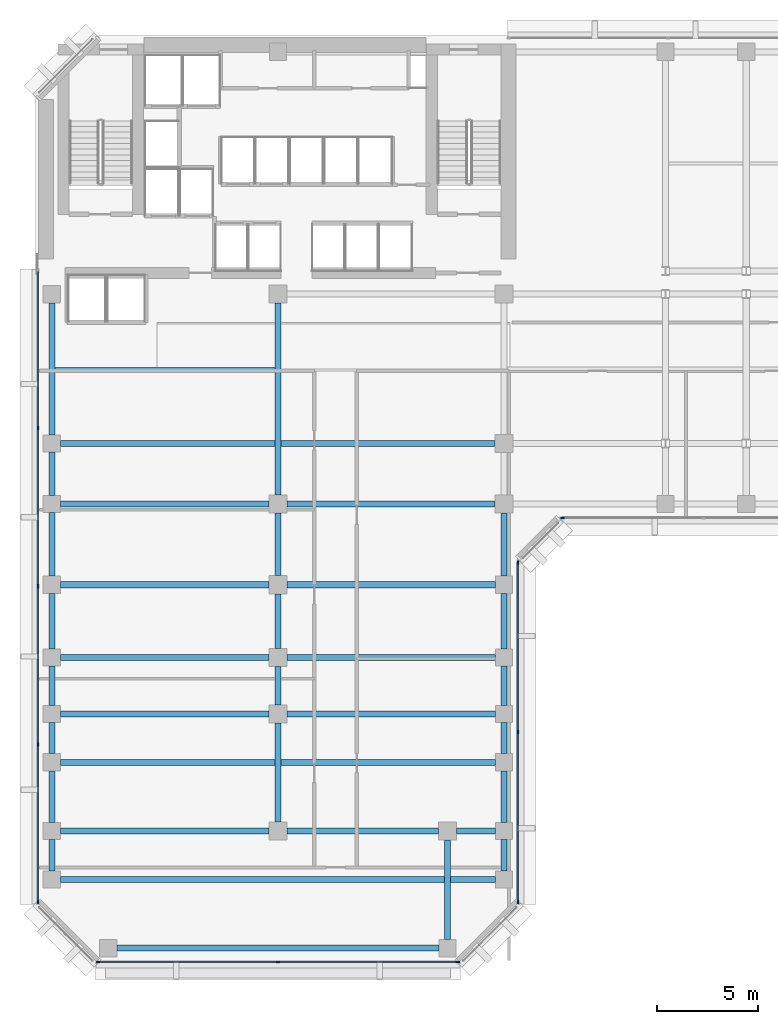
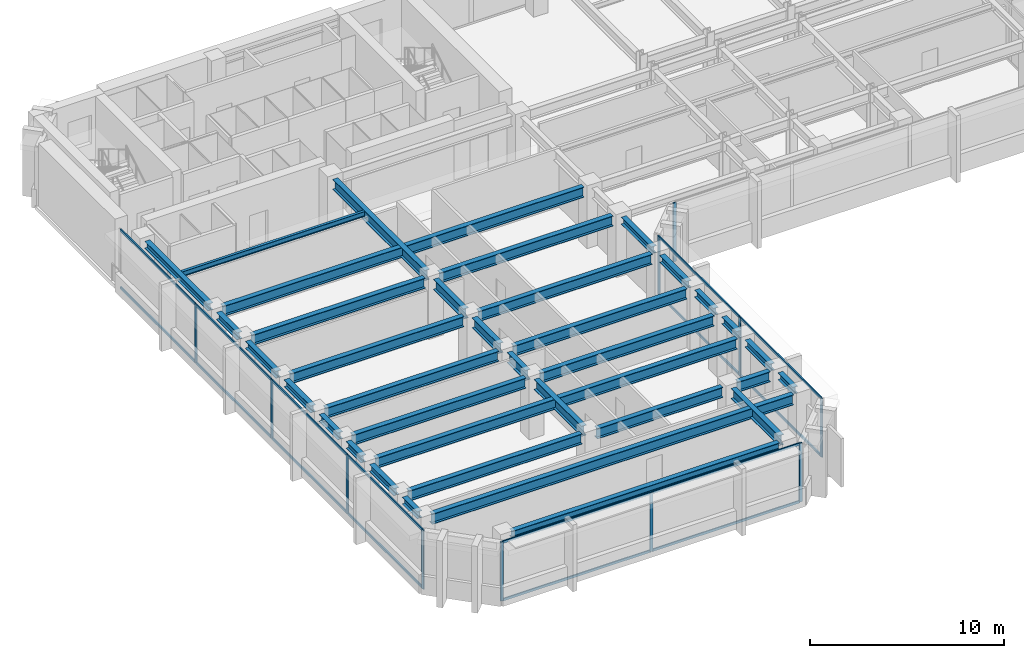
# One storey, part 2 of 12: 36 beams, 27 members, 4 elements without a shape of their own.
"""IFC4 building model written with IfcOpenShell, lengths in metres."""

import ifcopenshell
import ifcopenshell.guid

model = None  # the IFC model being written
_history = None  # IfcOwnerHistory: only IFC2X3 demands one
_inside = {}  # id of a spatial element -> (the spatial element, [elements in it])
_under = {}  # id of a project, library or spatial element -> (it, [spatial elements below it])
_declared = {}  # id of a project -> (the project, [libraries it declares])
_typed = {}  # id of a type object -> (the type object, [elements of that type])
_made_of = {}  # id of a material, layer set ... -> (it, [elements and type objects made of it])


def new_model(schema):
    """Start an empty IFC model of exactly this schema.

    Asked for "IFC4X3", IfcOpenShell would pick the latest addendum, in which some entities
    have other attributes; the version numbers below select the first issue.
    IFC2X3 requires an IfcOwnerHistory on every rooted entity: one is made here for all.
    """
    global model, _history
    if schema == "IFC4X3":
        model = ifcopenshell.file(schema_version=(4, 3, 0, 0))
    else:
        model = ifcopenshell.file(schema=schema)
    _inside.clear()
    _under.clear()
    _declared.clear()
    _typed.clear()
    _made_of.clear()
    _history = None
    if model.schema == "IFC2X3":
        org = make("IfcOrganization", Name="unknown")
        user = make(
            "IfcPersonAndOrganization",
            ThePerson=make("IfcPerson", FamilyName="unknown"),
            TheOrganization=org,
        )
        app = make(
            "IfcApplication",
            ApplicationDeveloper=org,
            Version="unknown",
            ApplicationFullName="unknown",
            ApplicationIdentifier="unknown",
        )
        _history = make(
            "IfcOwnerHistory",
            OwningUser=user,
            OwningApplication=app,
            ChangeAction="ADDED",
            CreationDate=0,
        )
    return model


def make(cls, **values):
    """One entity of the class cls with the attributes given. An attribute that is None is left unset."""
    return model.create_entity(
        cls, **{name: value for name, value in values.items() if value is not None}
    )


def rooted(cls, **values):
    """An entity with a GlobalId (a new one), such as an element, a storey or a relation."""
    return make(cls, GlobalId=ifcopenshell.guid.new(), OwnerHistory=_history, **values)


def si_unit(unit_type, name, prefix=None):
    """IfcSIUnit, for example si_unit("LENGTHUNIT", "METRE", prefix="MILLI")."""
    return make("IfcSIUnit", UnitType=unit_type, Prefix=prefix, Name=name)


def assignment(units):
    """IfcUnitAssignment: the units of a project."""
    return None if units is None else make("IfcUnitAssignment", Units=units)


def point(xyz):
    """IfcCartesianPoint."""
    return None if xyz is None else make("IfcCartesianPoint", Coordinates=xyz)


def direction(xyz):
    """IfcDirection."""
    return None if xyz is None else make("IfcDirection", DirectionRatios=xyz)


def frame(location, z_axis=None, x_axis=None):
    """IfcAxis2Placement3D, a coordinate frame: its origin and axes. An axis left out is left unset."""
    return make(
        "IfcAxis2Placement3D",
        Location=point(location),
        Axis=direction(z_axis),
        RefDirection=direction(x_axis),
    )


def frame_2d(location, x_axis=None):
    """IfcAxis2Placement2D, a coordinate frame in the plane: its origin and x axis."""
    return make(
        "IfcAxis2Placement2D", Location=point(location), RefDirection=direction(x_axis)
    )


def origin():
    """The frame at (0, 0, 0) with its axes left unset."""
    return frame((0.0, 0.0, 0.0))


def origin_2d():
    """The frame at (0, 0) in the plane with its x axis left unset."""
    return frame_2d((0.0, 0.0))


def place(relative_to, where):
    """IfcLocalPlacement: puts the frame where relative to a parent placement (None: the world)."""
    return make(
        "IfcLocalPlacement", PlacementRelTo=relative_to, RelativePlacement=where
    )


def context(
    kind, dimensions, precision=None, world=None, true_north=None, identifier=None
):
    """IfcGeometricRepresentationContext, for example the 3D "Model" context."""
    return make(
        "IfcGeometricRepresentationContext",
        ContextIdentifier=identifier,
        ContextType=kind,
        CoordinateSpaceDimension=dimensions,
        Precision=precision,
        WorldCoordinateSystem=world,
        TrueNorth=true_north,
    )


def subcontext(parent, identifier, kind, view, scale=None):
    """IfcGeometricRepresentationSubContext, for example "Body" below "Model"."""
    return make(
        "IfcGeometricRepresentationSubContext",
        ContextIdentifier=identifier,
        ContextType=kind,
        ParentContext=parent,
        TargetScale=scale,
        TargetView=view,
    )


def project(units=None, contexts=None):
    """IfcProject with its units and contexts."""
    return rooted(
        "IfcProject",
        Name="project",
        RepresentationContexts=contexts,
        UnitsInContext=assignment(units),
    )


def spatial(cls, under=None, at=None, **own):
    """A site, building, storey or space (cls), placed at a placement, below another one or the project."""
    s = rooted(cls, ObjectPlacement=at, **own)
    if under is not None:
        _under.setdefault(under.id(), (under, []))[1].append(s)
    return s


def profile(cls, at=None, kind="AREA", **sizes):
    """A parametric profile (cls). Its sizes go by their IFC names, for example OverallWidth=200.0."""
    return make(cls, ProfileType=kind, Position=at, **sizes)


def rectangle(**sizes):
    """IfcRectangleProfileDef."""
    return profile("IfcRectangleProfileDef", **sizes)


def i_section(**sizes):
    """IfcIShapeProfileDef."""
    return profile("IfcIShapeProfileDef", **sizes)


def extrude(swept, where, along, depth):
    """IfcExtrudedAreaSolid: the profile swept, set in the frame where, extruded along a direction by depth."""
    return make(
        "IfcExtrudedAreaSolid",
        SweptArea=swept,
        Position=where,
        ExtrudedDirection=direction(along),
        Depth=depth,
    )


def shape(context_of_items, identifier, shape_type, items):
    """IfcShapeRepresentation: the items that make up one representation, for example the "Body"."""
    return make(
        "IfcShapeRepresentation",
        ContextOfItems=context_of_items,
        RepresentationIdentifier=identifier,
        RepresentationType=shape_type,
        Items=items,
    )


def material(Name=None, Category=None):
    """IfcMaterial."""
    return make("IfcMaterial", Name=Name, Category=Category)


def layer(
    of_material, thickness, ventilated=None, Name=None, Category=None, Priority=None
):
    """IfcMaterialLayer: one layer of a wall or slab, of a material (None: an air gap)."""
    return make(
        "IfcMaterialLayer",
        Material=of_material,
        LayerThickness=thickness,
        IsVentilated=ventilated,
        Name=Name,
        Category=Category,
        Priority=Priority,
    )


def layer_set(layers, Name=None):
    """IfcMaterialLayerSet."""
    return make("IfcMaterialLayerSet", MaterialLayers=layers, LayerSetName=Name)


def material_profile(
    of_material, cross_section, Name=None, Category=None, Priority=None
):
    """IfcMaterialProfile: a cross section and its material."""
    return make(
        "IfcMaterialProfile",
        Name=Name,
        Material=of_material,
        Profile=cross_section,
        Priority=Priority,
        Category=Category,
    )


def profile_set(profiles, Name=None, composite=None):
    """IfcMaterialProfileSet."""
    return make(
        "IfcMaterialProfileSet",
        Name=Name,
        MaterialProfiles=profiles,
        CompositeProfile=composite,
    )


def made_of(thing, what):
    """Note that an element or type object is made of a material, layer set ...; save() writes the relation."""
    if what is not None:
        _made_of.setdefault(what.id(), (what, []))[1].append(thing)
    return thing


def type_object(cls, material=None, **own):
    """A type object (cls), such as IfcWallType, which elements share."""
    return made_of(rooted(cls, **own), material)


def element(
    cls,
    number,
    at=None,
    inside=None,
    cuts=None,
    type_object=None,
    material=None,
    context=None,
    identifier="Body",
    shape_type=None,
    held_by="IfcProductDefinitionShape",
    body=None,
    shapes=None,
    **own,
):
    """One element of the class cls, such as IfcWall. Its Tag is "e" and its number.

    at: its placement. inside: the storey or other place that contains it. cuts: it is an
    opening in that element (IfcRelVoidsElement). A single representation is given by context,
    identifier, shape_type and body (its items); several are given by shapes. held_by: the class
    of the entity that holds the representations. save() writes the other relations.
    """
    e = rooted(cls, Tag="e%d" % number, ObjectPlacement=at, **own)
    if body is not None:
        shapes = [shape(context, identifier, shape_type, body)]
    if shapes is not None:
        e.Representation = make(held_by, Representations=shapes)
    if inside is not None:
        _inside.setdefault(inside.id(), (inside, []))[1].append(e)
    if cuts is not None:
        rooted(
            "IfcRelVoidsElement", RelatingBuildingElement=cuts, RelatedOpeningElement=e
        )
    if type_object is not None:
        _typed.setdefault(type_object.id(), (type_object, []))[1].append(e)
    return made_of(e, material)


def aggregate(whole, parts):
    """IfcRelAggregates: a whole, such as a stair, and the parts it consists of."""
    return rooted("IfcRelAggregates", RelatingObject=whole, RelatedObjects=parts)


def save(model, path):
    """Write the relations noted so far, then the file.

    IfcRelAggregates (storeys below a building ...), IfcRelContainedInSpatialStructure (elements
    in a storey), IfcRelDefinesByType, IfcRelAssociatesMaterial and IfcRelDeclares: one each for
    every whole, place, type object, material and project.
    """
    for whole, parts in _under.values():
        aggregate(whole, parts)
    for where, things in _inside.values():
        rooted(
            "IfcRelContainedInSpatialStructure",
            RelatedElements=things,
            RelatingStructure=where,
        )
    for kind, things in _typed.values():
        rooted("IfcRelDefinesByType", RelatedObjects=things, RelatingType=kind)
    for what, things in _made_of.values():
        rooted("IfcRelAssociatesMaterial", RelatedObjects=things, RelatingMaterial=what)
    for by, libraries in _declared.values():
        rooted("IfcRelDeclares", RelatingContext=by, RelatedDefinitions=libraries)
    model.write(path)


model = new_model("IFC4")

# Units and contexts
model_context = context("Model", 3, precision=1e-05, world=origin(), true_north=direction((0.0, 1.0)))
body_context = subcontext(model_context, "Body", "Model", "MODEL_VIEW")
ifc_project = project(units=[si_unit("LENGTHUNIT", "METRE"), si_unit("AREAUNIT", "SQUARE_METRE"), si_unit("VOLUMEUNIT", "CUBIC_METRE"), si_unit("PLANEANGLEUNIT", "RADIAN"), si_unit("MASSUNIT", "GRAM", prefix="KILO")], contexts=[model_context])

# Site, building, storey
site_placement = place(None, origin())
site = spatial("IfcSite", under=ifc_project, at=site_placement, CompositionType="ELEMENT")
building_placement = place(site_placement, origin())
building = spatial("IfcBuilding", under=site, at=building_placement, Name="Kefirva Bronze Tower", CompositionType="ELEMENT")
storey_placement = place(building_placement, frame((0.0, 0.0, 114.510009765625)))
storey = spatial("IfcBuildingStorey", under=building, at=storey_placement, Name="L27", CompositionType="ELEMENT", Elevation=114.510009765625)

# Curtain wall, members
ifc_material_1 = material(Name="Bronze anodised aluminium", Category="aluminium")
ifc_layer = layer(ifc_material_1, 0.199951171875, Name="Bronze anodised aluminium")
ifc_layer_set = layer_set([ifc_layer], Name="Bronze anodised aluminium")
curtain_wall_type = type_object("IfcCurtainWallType", Name="Unitised Bronze Ribbon Curtain Wall Zone 2", PredefinedType="USERDEFINED", material=ifc_layer_set)
curtain_wall_1_placement = place(storey_placement, origin())
curtain_wall_1 = element("IfcCurtainWall", 1, at=curtain_wall_1_placement, inside=storey, type_object=curtain_wall_type, Name="L27 Curtain Wall 1", ObjectType="UNITISED CURTAIN WALL", PredefinedType="USERDEFINED")
ifc_material_profile_1 = material_profile(ifc_material_1, rectangle(XDim=0.074951171875, YDim=0.179931640625, at=origin_2d()), Name="ALU 75x180")
ifc_profile_set_1 = profile_set([ifc_material_profile_1], Name="Bronze anodised aluminium")
member_type_1 = type_object("IfcMemberType", Name="Bronze Mullion 75x180", PredefinedType="MULLION", material=ifc_profile_set_1)
member_1_placement = place(storey_placement, frame((3.092529296875, 0.1201171875, 0.0), z_axis=(0.0, 0.0, 1.0), x_axis=(0.0, 1.0, 0.0)))
member_1 = element("IfcMember", 2, at=member_1_placement, type_object=member_type_1, Name="CW-02 mullion 1", PredefinedType="MULLION", context=body_context, shape_type="SweptSolid", body=[
    extrude(rectangle(XDim=0.074951171875, YDim=0.179931640625, at=origin_2d()), origin(), (0.0, 0.0, 1.0), 3.7099609375),
])
member_2_placement = place(storey_placement, frame((12.0, 0.1201171875, 0.0), z_axis=(0.0, 0.0, 1.0), x_axis=(0.0, 1.0, 0.0)))
member_2 = element("IfcMember", 3, at=member_2_placement, type_object=member_type_1, Name="CW-02 mullion 2", PredefinedType="MULLION", context=body_context, shape_type="SweptSolid", body=[
    extrude(rectangle(XDim=0.074951171875, YDim=0.179931640625, at=origin_2d()), origin(), (0.0, 0.0, 1.0), 3.7099609375),
])
member_3_placement = place(storey_placement, frame((20.907470703125, 0.1201171875, 0.0), z_axis=(0.0, 0.0, 1.0), x_axis=(0.0, 1.0, 0.0)))
member_3 = element("IfcMember", 4, at=member_3_placement, type_object=member_type_1, Name="CW-02 mullion 3", PredefinedType="MULLION", context=body_context, shape_type="SweptSolid", body=[
    extrude(rectangle(XDim=0.074951171875, YDim=0.179931640625, at=origin_2d()), origin(), (0.0, 0.0, 1.0), 3.7099609375),
])

curtain_wall_2_placement = place(storey_placement, origin())
curtain_wall_2 = element("IfcCurtainWall", 5, at=curtain_wall_2_placement, inside=storey, type_object=curtain_wall_type, Name="L27 Curtain Wall 2", ObjectType="UNITISED CURTAIN WALL", PredefinedType="USERDEFINED")
member_4_placement = place(storey_placement, frame((23.8798828125, 3.092529296875, 0.0), z_axis=(0.0, 0.0, 1.0), x_axis=(-1.0, 0.0, 0.0)))
member_4 = element("IfcMember", 6, at=member_4_placement, type_object=member_type_1, Name="CW-02 mullion 1", PredefinedType="MULLION", context=body_context, shape_type="SweptSolid", body=[
    extrude(rectangle(XDim=0.074951171875, YDim=0.179931640625, at=origin_2d()), origin(), (0.0, 0.0, 1.0), 3.7099609375),
])
member_5_placement = place(storey_placement, frame((23.8798828125, 11.5, 0.0), z_axis=(0.0, 0.0, 1.0), x_axis=(-1.0, 0.0, 0.0)))
member_5 = element("IfcMember", 7, at=member_5_placement, type_object=member_type_1, Name="CW-02 mullion 2", PredefinedType="MULLION", context=body_context, shape_type="SweptSolid", body=[
    extrude(rectangle(XDim=0.074951171875, YDim=0.179931640625, at=origin_2d()), origin(), (0.0, 0.0, 1.0), 3.7099609375),
])
member_6_placement = place(storey_placement, frame((23.8798828125, 19.907470703125, 0.0), z_axis=(0.0, 0.0, 1.0), x_axis=(-1.0, 0.0, 0.0)))
member_6 = element("IfcMember", 8, at=member_6_placement, type_object=member_type_1, Name="CW-02 mullion 3", PredefinedType="MULLION", context=body_context, shape_type="SweptSolid", body=[
    extrude(rectangle(XDim=0.074951171875, YDim=0.179931640625, at=origin_2d()), origin(), (0.0, 0.0, 1.0), 3.7099609375),
])

# Curtain wall, member
curtain_wall_3_placement = place(storey_placement, origin())
curtain_wall_3 = element("IfcCurtainWall", 9, at=curtain_wall_3_placement, inside=storey, type_object=curtain_wall_type, Name="L27 Curtain Wall 3", ObjectType="UNITISED CURTAIN WALL", PredefinedType="USERDEFINED")
member_7_placement = place(storey_placement, frame((26.092529296875, 22.1201171875, 0.0), z_axis=(0.0, 0.0, 1.0), x_axis=(0.0, 1.0, 0.0)))
member_7 = element("IfcMember", 10, at=member_7_placement, type_object=member_type_1, Name="CW-02 mullion 1", PredefinedType="MULLION", context=body_context, shape_type="SweptSolid", body=[
    extrude(rectangle(XDim=0.074951171875, YDim=0.179931640625, at=origin_2d()), origin(), (0.0, 0.0, 1.0), 3.7099609375),
])
aggregate(curtain_wall_3, [member_7])

# Curtain wall, members
curtain_wall_4_placement = place(storey_placement, origin())
curtain_wall_4 = element("IfcCurtainWall", 11, at=curtain_wall_4_placement, inside=storey, type_object=curtain_wall_type, Name="L27 Curtain Wall 6", ObjectType="UNITISED CURTAIN WALL", PredefinedType="USERDEFINED")
member_8_placement = place(storey_placement, frame((0.1201171875, 26.56005859375, 0.0), z_axis=(0.0, 0.0, 1.0), x_axis=(1.0, 0.0, 0.0)))
member_8 = element("IfcMember", 12, at=member_8_placement, type_object=member_type_1, Name="CW-02 mullion 2", PredefinedType="MULLION", context=body_context, shape_type="SweptSolid", body=[
    extrude(rectangle(XDim=0.074951171875, YDim=0.179931640625, at=origin_2d()), origin(), (0.0, 0.0, 1.0), 3.7099609375),
])
member_9_placement = place(storey_placement, frame((0.1201171875, 18.72509765625, 0.0), z_axis=(0.0, 0.0, 1.0), x_axis=(1.0, 0.0, 0.0)))
member_9 = element("IfcMember", 13, at=member_9_placement, type_object=member_type_1, Name="CW-02 mullion 3", PredefinedType="MULLION", context=body_context, shape_type="SweptSolid", body=[
    extrude(rectangle(XDim=0.074951171875, YDim=0.179931640625, at=origin_2d()), origin(), (0.0, 0.0, 1.0), 3.7099609375),
])
member_10_placement = place(storey_placement, frame((0.1201171875, 10.889892578125, 0.0), z_axis=(0.0, 0.0, 1.0), x_axis=(1.0, 0.0, 0.0)))
member_10 = element("IfcMember", 14, at=member_10_placement, type_object=member_type_1, Name="CW-02 mullion 4", PredefinedType="MULLION", context=body_context, shape_type="SweptSolid", body=[
    extrude(rectangle(XDim=0.074951171875, YDim=0.179931640625, at=origin_2d()), origin(), (0.0, 0.0, 1.0), 3.7099609375),
])
member_11_placement = place(storey_placement, frame((0.1201171875, 3.092529296875, 0.0), z_axis=(0.0, 0.0, 1.0), x_axis=(1.0, 0.0, 0.0)))
member_11 = element("IfcMember", 15, at=member_11_placement, type_object=member_type_1, Name="CW-02 mullion 5", PredefinedType="MULLION", context=body_context, shape_type="SweptSolid", body=[
    extrude(rectangle(XDim=0.074951171875, YDim=0.179931640625, at=origin_2d()), origin(), (0.0, 0.0, 1.0), 3.7099609375),
])

# Member
ifc_material_profile_2 = material_profile(ifc_material_1, rectangle(XDim=0.074951171875, YDim=0.14990234375, at=origin_2d()), Name="ALU 75x150")
ifc_profile_set_2 = profile_set([ifc_material_profile_2], Name="Bronze anodised aluminium")
member_type_2 = type_object("IfcMemberType", Name="Bronze Transom 75x150", PredefinedType="USERDEFINED", material=ifc_profile_set_2)
member_12_placement = place(storey_placement, frame((3.1298828125, 0.1201171875, 0.03759765625), z_axis=(1.0, 0.0, 0.0), x_axis=(0.0, 1.0, 0.0)))
member_12 = element("IfcMember", 16, at=member_12_placement, type_object=member_type_2, Name="CW-02 transom 1.1", ObjectType="TRANSOM", PredefinedType="USERDEFINED", context=body_context, shape_type="SweptSolid", body=[
    extrude(rectangle(XDim=0.074951171875, YDim=0.14990234375, at=origin_2d()), origin(), (0.0, 0.0, 1.0), 8.83251953125),
])

member_13_placement = place(storey_placement, frame((3.1298828125, 0.1201171875, 3.672607421875), z_axis=(1.0, 0.0, 0.0), x_axis=(0.0, 1.0, 0.0)))
member_13 = element("IfcMember", 17, at=member_13_placement, type_object=member_type_2, Name="CW-02 transom 1.2", ObjectType="TRANSOM", PredefinedType="USERDEFINED", context=body_context, shape_type="SweptSolid", body=[
    extrude(rectangle(XDim=0.074951171875, YDim=0.14990234375, at=origin_2d()), origin(), (0.0, 0.0, 1.0), 8.83251953125),
])

member_14_placement = place(storey_placement, frame((12.03759765625, 0.1201171875, 0.03759765625), z_axis=(1.0, 0.0, 0.0), x_axis=(0.0, 1.0, 0.0)))
member_14 = element("IfcMember", 18, at=member_14_placement, type_object=member_type_2, Name="CW-02 transom 2.1", ObjectType="TRANSOM", PredefinedType="USERDEFINED", context=body_context, shape_type="SweptSolid", body=[
    extrude(rectangle(XDim=0.074951171875, YDim=0.14990234375, at=origin_2d()), origin(), (0.0, 0.0, 1.0), 8.83251953125),
])

member_15_placement = place(storey_placement, frame((12.03759765625, 0.1201171875, 3.672607421875), z_axis=(1.0, 0.0, 0.0), x_axis=(0.0, 1.0, 0.0)))
member_15 = element("IfcMember", 19, at=member_15_placement, type_object=member_type_2, Name="CW-02 transom 2.2", ObjectType="TRANSOM", PredefinedType="USERDEFINED", context=body_context, shape_type="SweptSolid", body=[
    extrude(rectangle(XDim=0.074951171875, YDim=0.14990234375, at=origin_2d()), origin(), (0.0, 0.0, 1.0), 8.83251953125),
])

aggregate(curtain_wall_1, [member_1, member_2, member_3, member_12, member_13, member_14, member_15])

member_16_placement = place(storey_placement, frame((23.8798828125, 3.1298828125, 0.03759765625), z_axis=(0.0, 1.0, 0.0), x_axis=(-1.0, 0.0, 0.0)))
member_16 = element("IfcMember", 20, at=member_16_placement, type_object=member_type_2, Name="CW-02 transom 1.1", ObjectType="TRANSOM", PredefinedType="USERDEFINED", context=body_context, shape_type="SweptSolid", body=[
    extrude(rectangle(XDim=0.074951171875, YDim=0.14990234375, at=origin_2d()), origin(), (0.0, 0.0, 1.0), 8.33251953125),
])

member_17_placement = place(storey_placement, frame((23.8798828125, 3.1298828125, 3.672607421875), z_axis=(0.0, 1.0, 0.0), x_axis=(-1.0, 0.0, 0.0)))
member_17 = element("IfcMember", 21, at=member_17_placement, type_object=member_type_2, Name="CW-02 transom 1.2", ObjectType="TRANSOM", PredefinedType="USERDEFINED", context=body_context, shape_type="SweptSolid", body=[
    extrude(rectangle(XDim=0.074951171875, YDim=0.14990234375, at=origin_2d()), origin(), (0.0, 0.0, 1.0), 8.33251953125),
])

member_18_placement = place(storey_placement, frame((23.8798828125, 11.53759765625, 0.03759765625), z_axis=(0.0, 1.0, 0.0), x_axis=(-1.0, 0.0, 0.0)))
member_18 = element("IfcMember", 22, at=member_18_placement, type_object=member_type_2, Name="CW-02 transom 2.1", ObjectType="TRANSOM", PredefinedType="USERDEFINED", context=body_context, shape_type="SweptSolid", body=[
    extrude(rectangle(XDim=0.074951171875, YDim=0.14990234375, at=origin_2d()), origin(), (0.0, 0.0, 1.0), 8.33251953125),
])

member_19_placement = place(storey_placement, frame((23.8798828125, 11.53759765625, 3.672607421875), z_axis=(0.0, 1.0, 0.0), x_axis=(-1.0, 0.0, 0.0)))
member_19 = element("IfcMember", 23, at=member_19_placement, type_object=member_type_2, Name="CW-02 transom 2.2", ObjectType="TRANSOM", PredefinedType="USERDEFINED", context=body_context, shape_type="SweptSolid", body=[
    extrude(rectangle(XDim=0.074951171875, YDim=0.14990234375, at=origin_2d()), origin(), (0.0, 0.0, 1.0), 8.33251953125),
])

aggregate(curtain_wall_2, [member_4, member_5, member_6, member_16, member_17, member_18, member_19])

member_20_placement = place(storey_placement, frame((0.1201171875, 34.320068359375, 0.03759765625), z_axis=(0.0, -1.0, 0.0), x_axis=(1.0, 0.0, 0.0)))
member_20 = element("IfcMember", 24, at=member_20_placement, type_object=member_type_2, Name="CW-02 transom 1.1", ObjectType="TRANSOM", PredefinedType="USERDEFINED", context=body_context, shape_type="SweptSolid", body=[
    extrude(rectangle(XDim=0.074951171875, YDim=0.14990234375, at=origin_2d()), origin(), (0.0, 0.0, 1.0), 7.72265625),
])

member_21_placement = place(storey_placement, frame((0.1201171875, 34.320068359375, 3.672607421875), z_axis=(0.0, -1.0, 0.0), x_axis=(1.0, 0.0, 0.0)))
member_21 = element("IfcMember", 25, at=member_21_placement, type_object=member_type_2, Name="CW-02 transom 1.2", ObjectType="TRANSOM", PredefinedType="USERDEFINED", context=body_context, shape_type="SweptSolid", body=[
    extrude(rectangle(XDim=0.074951171875, YDim=0.14990234375, at=origin_2d()), origin(), (0.0, 0.0, 1.0), 7.72265625),
])

member_22_placement = place(storey_placement, frame((0.1201171875, 26.5224609375, 0.03759765625), z_axis=(0.0, -1.0, 0.0), x_axis=(1.0, 0.0, 0.0)))
member_22 = element("IfcMember", 26, at=member_22_placement, type_object=member_type_2, Name="CW-02 transom 2.1", ObjectType="TRANSOM", PredefinedType="USERDEFINED", context=body_context, shape_type="SweptSolid", body=[
    extrude(rectangle(XDim=0.074951171875, YDim=0.14990234375, at=origin_2d()), origin(), (0.0, 0.0, 1.0), 7.760009765625),
])

member_23_placement = place(storey_placement, frame((0.1201171875, 26.5224609375, 3.672607421875), z_axis=(0.0, -1.0, 0.0), x_axis=(1.0, 0.0, 0.0)))
member_23 = element("IfcMember", 27, at=member_23_placement, type_object=member_type_2, Name="CW-02 transom 2.2", ObjectType="TRANSOM", PredefinedType="USERDEFINED", context=body_context, shape_type="SweptSolid", body=[
    extrude(rectangle(XDim=0.074951171875, YDim=0.14990234375, at=origin_2d()), origin(), (0.0, 0.0, 1.0), 7.760009765625),
])

member_24_placement = place(storey_placement, frame((0.1201171875, 18.6875, 0.03759765625), z_axis=(0.0, -1.0, 0.0), x_axis=(1.0, 0.0, 0.0)))
member_24 = element("IfcMember", 28, at=member_24_placement, type_object=member_type_2, Name="CW-02 transom 3.1", ObjectType="TRANSOM", PredefinedType="USERDEFINED", context=body_context, shape_type="SweptSolid", body=[
    extrude(rectangle(XDim=0.074951171875, YDim=0.14990234375, at=origin_2d()), origin(), (0.0, 0.0, 1.0), 7.760009765625),
])

member_25_placement = place(storey_placement, frame((0.1201171875, 18.6875, 3.672607421875), z_axis=(0.0, -1.0, 0.0), x_axis=(1.0, 0.0, 0.0)))
member_25 = element("IfcMember", 29, at=member_25_placement, type_object=member_type_2, Name="CW-02 transom 3.2", ObjectType="TRANSOM", PredefinedType="USERDEFINED", context=body_context, shape_type="SweptSolid", body=[
    extrude(rectangle(XDim=0.074951171875, YDim=0.14990234375, at=origin_2d()), origin(), (0.0, 0.0, 1.0), 7.760009765625),
])

member_26_placement = place(storey_placement, frame((0.1201171875, 10.8525390625, 0.03759765625), z_axis=(0.0, -1.0, 0.0), x_axis=(1.0, 0.0, 0.0)))
member_26 = element("IfcMember", 30, at=member_26_placement, type_object=member_type_2, Name="CW-02 transom 4.1", ObjectType="TRANSOM", PredefinedType="USERDEFINED", context=body_context, shape_type="SweptSolid", body=[
    extrude(rectangle(XDim=0.074951171875, YDim=0.14990234375, at=origin_2d()), origin(), (0.0, 0.0, 1.0), 7.72265625),
])

member_27_placement = place(storey_placement, frame((0.1201171875, 10.8525390625, 3.672607421875), z_axis=(0.0, -1.0, 0.0), x_axis=(1.0, 0.0, 0.0)))
member_27 = element("IfcMember", 31, at=member_27_placement, type_object=member_type_2, Name="CW-02 transom 4.2", ObjectType="TRANSOM", PredefinedType="USERDEFINED", context=body_context, shape_type="SweptSolid", body=[
    extrude(rectangle(XDim=0.074951171875, YDim=0.14990234375, at=origin_2d()), origin(), (0.0, 0.0, 1.0), 7.72265625),
])

aggregate(curtain_wall_4, [member_8, member_9, member_10, member_11, member_20, member_21, member_22, member_23, member_24, member_25, member_26, member_27])

# Beams
ifc_material_2 = material(Name="Steel S355", Category="steel")
ifc_material_profile_3 = material_profile(ifc_material_2, i_section(OverallWidth=0.159912109375, OverallDepth=0.330078125, WebThickness=0.007568359375, FlangeThickness=0.011474609375, at=origin_2d()), Name="IPE 330")
ifc_profile_set_3 = profile_set([ifc_material_profile_3], Name="Steel S355")
beam_type_1 = type_object("IfcBeamType", Name="Steel Floor Joist IPE 330", PredefinedType="JOIST", material=ifc_profile_set_3)
beam_1_placement = place(storey_placement, frame((0.949951171875, 29.489990234375, 3.544921875), z_axis=(1.0, 0.0, 0.0), x_axis=(0.0, 1.0, 0.0)))
element("IfcBeam", 32, at=beam_1_placement, inside=storey, type_object=beam_type_1, Name="L27 JST-L27-0-294", PredefinedType="JOIST", context=body_context, shape_type="SweptSolid", body=[
    extrude(i_section(OverallWidth=0.159912109375, OverallDepth=0.330078125, WebThickness=0.007568359375, FlangeThickness=0.011474609375, at=origin_2d()), origin(), (0.0, 0.0, 1.0), 10.900146484375),
])
ifc_material_profile_4 = material_profile(ifc_material_2, i_section(OverallWidth=0.300048828125, OverallDepth=0.64990234375, WebThickness=0.01611328125, FlangeThickness=0.031005859375, at=origin_2d()), Name="HEB 650")
ifc_profile_set_4 = profile_set([ifc_material_profile_4], Name="Steel S355")
beam_type_2 = type_object("IfcBeamType", Name="Steel Girder HEB 650", PredefinedType="USERDEFINED", material=ifc_profile_set_4)
beam_2_placement = place(storey_placement, frame((1.22998046875, 4.199951171875, 3.385009765625), z_axis=(1.0, 0.0, 0.0), x_axis=(0.0, 1.0, 0.0)))
element("IfcBeam", 33, at=beam_2_placement, inside=storey, type_object=beam_type_2, Name="L27 BM-L27-EW-0-42", ObjectType="GIRDER", PredefinedType="USERDEFINED", context=body_context, shape_type="SweptSolid", body=[
    extrude(i_section(OverallWidth=0.300048828125, OverallDepth=0.64990234375, WebThickness=0.01611328125, FlangeThickness=0.031005859375, at=origin_2d()), origin(), (0.0, 0.0, 1.0), 21.5400390625),
])
beam_3_placement = place(storey_placement, frame((1.22998046875, 6.60009765625, 3.385009765625), z_axis=(1.0, 0.0, 0.0), x_axis=(0.0, 1.0, 0.0)))
element("IfcBeam", 34, at=beam_3_placement, inside=storey, type_object=beam_type_2, Name="L27 BM-L27-EW-0-66", ObjectType="GIRDER", PredefinedType="USERDEFINED", context=body_context, shape_type="SweptSolid", body=[
    extrude(i_section(OverallWidth=0.300048828125, OverallDepth=0.64990234375, WebThickness=0.01611328125, FlangeThickness=0.031005859375, at=origin_2d()), origin(), (0.0, 0.0, 1.0), 10.320068359375),
])
beam_4_placement = place(storey_placement, frame((12.449951171875, 6.60009765625, 3.385009765625), z_axis=(1.0, 0.0, 0.0), x_axis=(0.0, 1.0, 0.0)))
element("IfcBeam", 35, at=beam_4_placement, inside=storey, type_object=beam_type_2, Name="L27 BM-L27-EW-12-66", ObjectType="GIRDER", PredefinedType="USERDEFINED", context=body_context, shape_type="SweptSolid", body=[
    extrude(i_section(OverallWidth=0.300048828125, OverallDepth=0.64990234375, WebThickness=0.01611328125, FlangeThickness=0.031005859375, at=origin_2d()), origin(), (0.0, 0.0, 1.0), 7.5),
])
beam_5_placement = place(storey_placement, frame((20.85009765625, 6.60009765625, 3.385009765625), z_axis=(1.0, 0.0, 0.0), x_axis=(0.0, 1.0, 0.0)))
element("IfcBeam", 36, at=beam_5_placement, inside=storey, type_object=beam_type_2, Name="L27 BM-L27-EW-20-66", ObjectType="GIRDER", PredefinedType="USERDEFINED", context=body_context, shape_type="SweptSolid", body=[
    extrude(i_section(OverallWidth=0.300048828125, OverallDepth=0.64990234375, WebThickness=0.01611328125, FlangeThickness=0.031005859375, at=origin_2d()), origin(), (0.0, 0.0, 1.0), 1.919921875),
])
beam_6_placement = place(storey_placement, frame((1.22998046875, 10.0, 3.385009765625), z_axis=(1.0, 0.0, 0.0), x_axis=(0.0, 1.0, 0.0)))
element("IfcBeam", 37, at=beam_6_placement, inside=storey, type_object=beam_type_2, Name="L27 BM-L27-EW-0-100", ObjectType="GIRDER", PredefinedType="USERDEFINED", context=body_context, shape_type="SweptSolid", body=[
    extrude(i_section(OverallWidth=0.300048828125, OverallDepth=0.64990234375, WebThickness=0.01611328125, FlangeThickness=0.031005859375, at=origin_2d()), origin(), (0.0, 0.0, 1.0), 21.5400390625),
])
for number, where, z_axis, x_axis, name in (
    (38, (1.22998046875, 12.39990234375, 3.385009765625), (1.0, 0.0, 0.0), (0.0, 1.0, 0.0), "L27 BM-L27-EW-0-124"),
    (39, (12.449951171875, 12.39990234375, 3.385009765625), (1.0, 0.0, 0.0), (0.0, 1.0, 0.0), "L27 BM-L27-EW-12-124"),
    (40, (1.22998046875, 15.199951171875, 3.385009765625), (1.0, 0.0, 0.0), (0.0, 1.0, 0.0), "L27 BM-L27-EW-0-152"),
    (41, (12.449951171875, 15.199951171875, 3.385009765625), (1.0, 0.0, 0.0), (0.0, 1.0, 0.0), "L27 BM-L27-EW-12-152"),
    (42, (1.22998046875, 18.800048828125, 3.385009765625), (1.0, 0.0, 0.0), (0.0, 1.0, 0.0), "L27 BM-L27-EW-0-188"),
    (43, (12.449951171875, 18.800048828125, 3.385009765625), (1.0, 0.0, 0.0), (0.0, 1.0, 0.0), "L27 BM-L27-EW-12-188"),
    (44, (1.22998046875, 22.800048828125, 3.385009765625), (1.0, 0.0, 0.0), (0.0, 1.0, 0.0), "L27 BM-L27-EW-0-228"),
):
    element("IfcBeam", number, at=place(storey_placement, frame(where, z_axis=z_axis, x_axis=x_axis)), inside=storey, type_object=beam_type_2, Name=name, ObjectType="GIRDER", PredefinedType="USERDEFINED", context=body_context, shape_type="SweptSolid", body=[
        extrude(i_section(OverallWidth=0.300048828125, OverallDepth=0.64990234375, WebThickness=0.01611328125, FlangeThickness=0.031005859375, at=origin_2d()), origin(), (0.0, 0.0, 1.0), 10.320068359375),
    ])
beam_7_placement = place(storey_placement, frame((12.449951171875, 22.800048828125, 3.385009765625), z_axis=(1.0, 0.0, 0.0), x_axis=(0.0, 1.0, 0.0)))
element("IfcBeam", 45, at=beam_7_placement, inside=storey, type_object=beam_type_2, Name="L27 BM-L27-EW-12-228", ObjectType="GIRDER", PredefinedType="USERDEFINED", context=body_context, shape_type="SweptSolid", body=[
    extrude(i_section(OverallWidth=0.300048828125, OverallDepth=0.64990234375, WebThickness=0.01611328125, FlangeThickness=0.031005859375, at=origin_2d()), origin(), (0.0, 0.0, 1.0), 10.300048828125),
])
beam_8_placement = place(storey_placement, frame((1.22998046875, 25.800048828125, 3.385009765625), z_axis=(1.0, 0.0, 0.0), x_axis=(0.0, 1.0, 0.0)))
element("IfcBeam", 46, at=beam_8_placement, inside=storey, type_object=beam_type_2, Name="L27 BM-L27-EW-0-258", ObjectType="GIRDER", PredefinedType="USERDEFINED", context=body_context, shape_type="SweptSolid", body=[
    extrude(i_section(OverallWidth=0.300048828125, OverallDepth=0.64990234375, WebThickness=0.01611328125, FlangeThickness=0.031005859375, at=origin_2d()), origin(), (0.0, 0.0, 1.0), 21.52001953125),
])
beam_9_placement = place(storey_placement, frame((12.0, 7.050048828125, 3.385009765625), z_axis=(0.0, 1.0, 0.0), x_axis=(-1.0, 0.0, 0.0)))
element("IfcBeam", 47, at=beam_9_placement, inside=storey, type_object=beam_type_2, Name="L27 BM-L27-NS-120-6", ObjectType="GIRDER", PredefinedType="USERDEFINED", context=body_context, shape_type="SweptSolid", body=[
    extrude(i_section(OverallWidth=0.300048828125, OverallDepth=0.64990234375, WebThickness=0.01611328125, FlangeThickness=0.031005859375, at=origin_2d()), origin(), (0.0, 0.0, 1.0), 4.89990234375),
])
beam_10_placement = place(storey_placement, frame((12.0, 12.85009765625, 3.385009765625), z_axis=(0.0, 1.0, 0.0), x_axis=(-1.0, 0.0, 0.0)))
element("IfcBeam", 48, at=beam_10_placement, inside=storey, type_object=beam_type_2, Name="L27 BM-L27-NS-120-12", ObjectType="GIRDER", PredefinedType="USERDEFINED", context=body_context, shape_type="SweptSolid", body=[
    extrude(i_section(OverallWidth=0.300048828125, OverallDepth=0.64990234375, WebThickness=0.01611328125, FlangeThickness=0.031005859375, at=origin_2d()), origin(), (0.0, 0.0, 1.0), 1.89990234375),
])
beam_11_placement = place(storey_placement, frame((12.0, 15.64990234375, 3.385009765625), z_axis=(0.0, 1.0, 0.0), x_axis=(-1.0, 0.0, 0.0)))
element("IfcBeam", 49, at=beam_11_placement, inside=storey, type_object=beam_type_2, Name="L27 BM-L27-NS-120-15", ObjectType="GIRDER", PredefinedType="USERDEFINED", context=body_context, shape_type="SweptSolid", body=[
    extrude(i_section(OverallWidth=0.300048828125, OverallDepth=0.64990234375, WebThickness=0.01611328125, FlangeThickness=0.031005859375, at=origin_2d()), origin(), (0.0, 0.0, 1.0), 2.7001953125),
])
beam_12_placement = place(storey_placement, frame((12.0, 19.25, 3.385009765625), z_axis=(0.0, 1.0, 0.0), x_axis=(-1.0, 0.0, 0.0)))
element("IfcBeam", 50, at=beam_12_placement, inside=storey, type_object=beam_type_2, Name="L27 BM-L27-NS-120-18", ObjectType="GIRDER", PredefinedType="USERDEFINED", context=body_context, shape_type="SweptSolid", body=[
    extrude(i_section(OverallWidth=0.300048828125, OverallDepth=0.64990234375, WebThickness=0.01611328125, FlangeThickness=0.031005859375, at=origin_2d()), origin(), (0.0, 0.0, 1.0), 3.10009765625),
])
beam_13_placement = place(storey_placement, frame((12.0, 23.25, 3.385009765625), z_axis=(0.0, 1.0, 0.0), x_axis=(-1.0, 0.0, 0.0)))
element("IfcBeam", 51, at=beam_13_placement, inside=storey, type_object=beam_type_2, Name="L27 BM-L27-NS-120-22", ObjectType="GIRDER", PredefinedType="USERDEFINED", context=body_context, shape_type="SweptSolid", body=[
    extrude(i_section(OverallWidth=0.300048828125, OverallDepth=0.64990234375, WebThickness=0.01611328125, FlangeThickness=0.031005859375, at=origin_2d()), origin(), (0.0, 0.0, 1.0), 9.5),
])
beam_14_placement = place(storey_placement, frame((20.39990234375, 1.22998046875, 3.385009765625), z_axis=(0.0, 1.0, 0.0), x_axis=(-1.0, 0.0, 0.0)))
element("IfcBeam", 52, at=beam_14_placement, inside=storey, type_object=beam_type_2, Name="L27 BM-L27-NS-204-0", ObjectType="GIRDER", PredefinedType="USERDEFINED", context=body_context, shape_type="SweptSolid", body=[
    extrude(i_section(OverallWidth=0.300048828125, OverallDepth=0.64990234375, WebThickness=0.01611328125, FlangeThickness=0.031005859375, at=origin_2d()), origin(), (0.0, 0.0, 1.0), 4.919921875),
])
ifc_material_profile_5 = material_profile(ifc_material_2, i_section(OverallWidth=0.300048828125, OverallDepth=0.449951171875, WebThickness=0.013916015625, FlangeThickness=0.02587890625, at=origin_2d()), Name="HEB 450")
ifc_profile_set_5 = profile_set([ifc_material_profile_5], Name="Steel S355")
beam_type_3 = type_object("IfcBeamType", Name="Steel Spandrel HEB 450 Ext", PredefinedType="SPANDREL", material=ifc_profile_set_5)
beam_15_placement = place(storey_placement, frame((4.030029296875, 0.800048828125, 3.485107421875), z_axis=(1.0, 0.0, 0.0), x_axis=(0.0, 1.0, 0.0)))
element("IfcBeam", 53, at=beam_15_placement, inside=storey, type_object=beam_type_3, Name="L27 BM-L27-EW-3-8", PredefinedType="SPANDREL", context=body_context, shape_type="SweptSolid", body=[
    extrude(i_section(OverallWidth=0.300048828125, OverallDepth=0.449951171875, WebThickness=0.013916015625, FlangeThickness=0.02587890625, at=origin_2d()), origin(), (0.0, 0.0, 1.0), 15.93994140625),
])
beam_16_placement = place(storey_placement, frame((0.800048828125, 4.6298828125, 3.485107421875), z_axis=(0.0, 1.0, 0.0), x_axis=(-1.0, 0.0, 0.0)))
element("IfcBeam", 54, at=beam_16_placement, inside=storey, type_object=beam_type_3, Name="L27 BM-L27-NS-8-4", PredefinedType="SPANDREL", context=body_context, shape_type="SweptSolid", body=[
    extrude(i_section(OverallWidth=0.300048828125, OverallDepth=0.449951171875, WebThickness=0.013916015625, FlangeThickness=0.02587890625, at=origin_2d()), origin(), (0.0, 0.0, 1.0), 1.5400390625),
])
beam_17_placement = place(storey_placement, frame((0.800048828125, 7.030029296875, 3.485107421875), z_axis=(0.0, 1.0, 0.0), x_axis=(-1.0, 0.0, 0.0)))
element("IfcBeam", 55, at=beam_17_placement, inside=storey, type_object=beam_type_3, Name="L27 BM-L27-NS-8-6", PredefinedType="SPANDREL", context=body_context, shape_type="SweptSolid", body=[
    extrude(i_section(OverallWidth=0.300048828125, OverallDepth=0.449951171875, WebThickness=0.013916015625, FlangeThickness=0.02587890625, at=origin_2d()), origin(), (0.0, 0.0, 1.0), 2.5400390625),
])
beam_18_placement = place(storey_placement, frame((0.800048828125, 10.429931640625, 3.485107421875), z_axis=(0.0, 1.0, 0.0), x_axis=(-1.0, 0.0, 0.0)))
element("IfcBeam", 56, at=beam_18_placement, inside=storey, type_object=beam_type_3, Name="L27 BM-L27-NS-8-10", PredefinedType="SPANDREL", context=body_context, shape_type="SweptSolid", body=[
    extrude(i_section(OverallWidth=0.300048828125, OverallDepth=0.449951171875, WebThickness=0.013916015625, FlangeThickness=0.02587890625, at=origin_2d()), origin(), (0.0, 0.0, 1.0), 1.5400390625),
])
beam_19_placement = place(storey_placement, frame((0.800048828125, 12.830078125, 3.485107421875), z_axis=(0.0, 1.0, 0.0), x_axis=(-1.0, 0.0, 0.0)))
element("IfcBeam", 57, at=beam_19_placement, inside=storey, type_object=beam_type_3, Name="L27 BM-L27-NS-8-12", PredefinedType="SPANDREL", context=body_context, shape_type="SweptSolid", body=[
    extrude(i_section(OverallWidth=0.300048828125, OverallDepth=0.449951171875, WebThickness=0.013916015625, FlangeThickness=0.02587890625, at=origin_2d()), origin(), (0.0, 0.0, 1.0), 1.93994140625),
])
beam_20_placement = place(storey_placement, frame((0.800048828125, 15.6298828125, 3.485107421875), z_axis=(0.0, 1.0, 0.0), x_axis=(-1.0, 0.0, 0.0)))
element("IfcBeam", 58, at=beam_20_placement, inside=storey, type_object=beam_type_3, Name="L27 BM-L27-NS-8-15", PredefinedType="SPANDREL", context=body_context, shape_type="SweptSolid", body=[
    extrude(i_section(OverallWidth=0.300048828125, OverallDepth=0.449951171875, WebThickness=0.013916015625, FlangeThickness=0.02587890625, at=origin_2d()), origin(), (0.0, 0.0, 1.0), 2.740234375),
])
beam_21_placement = place(storey_placement, frame((0.800048828125, 19.22998046875, 3.485107421875), z_axis=(0.0, 1.0, 0.0), x_axis=(-1.0, 0.0, 0.0)))
element("IfcBeam", 59, at=beam_21_placement, inside=storey, type_object=beam_type_3, Name="L27 BM-L27-NS-8-18", PredefinedType="SPANDREL", context=body_context, shape_type="SweptSolid", body=[
    extrude(i_section(OverallWidth=0.300048828125, OverallDepth=0.449951171875, WebThickness=0.013916015625, FlangeThickness=0.02587890625, at=origin_2d()), origin(), (0.0, 0.0, 1.0), 3.14013671875),
])
beam_22_placement = place(storey_placement, frame((0.800048828125, 23.22998046875, 3.485107421875), z_axis=(0.0, 1.0, 0.0), x_axis=(-1.0, 0.0, 0.0)))
element("IfcBeam", 60, at=beam_22_placement, inside=storey, type_object=beam_type_3, Name="L27 BM-L27-NS-8-22", PredefinedType="SPANDREL", context=body_context, shape_type="SweptSolid", body=[
    extrude(i_section(OverallWidth=0.300048828125, OverallDepth=0.449951171875, WebThickness=0.013916015625, FlangeThickness=0.02587890625, at=origin_2d()), origin(), (0.0, 0.0, 1.0), 2.14013671875),
])
beam_23_placement = place(storey_placement, frame((0.800048828125, 26.22998046875, 3.485107421875), z_axis=(0.0, 1.0, 0.0), x_axis=(-1.0, 0.0, 0.0)))
element("IfcBeam", 61, at=beam_23_placement, inside=storey, type_object=beam_type_3, Name="L27 BM-L27-NS-8-25", PredefinedType="SPANDREL", context=body_context, shape_type="SweptSolid", body=[
    extrude(i_section(OverallWidth=0.300048828125, OverallDepth=0.449951171875, WebThickness=0.013916015625, FlangeThickness=0.02587890625, at=origin_2d()), origin(), (0.0, 0.0, 1.0), 6.5400390625),
])
beam_24_placement = place(storey_placement, frame((23.199951171875, 4.6298828125, 3.485107421875), z_axis=(0.0, 1.0, 0.0), x_axis=(-1.0, 0.0, 0.0)))
element("IfcBeam", 62, at=beam_24_placement, inside=storey, type_object=beam_type_3, Name="L27 BM-L27-NS-232-4", PredefinedType="SPANDREL", context=body_context, shape_type="SweptSolid", body=[
    extrude(i_section(OverallWidth=0.300048828125, OverallDepth=0.449951171875, WebThickness=0.013916015625, FlangeThickness=0.02587890625, at=origin_2d()), origin(), (0.0, 0.0, 1.0), 1.5400390625),
])
beam_25_placement = place(storey_placement, frame((23.199951171875, 7.030029296875, 3.485107421875), z_axis=(0.0, 1.0, 0.0), x_axis=(-1.0, 0.0, 0.0)))
element("IfcBeam", 63, at=beam_25_placement, inside=storey, type_object=beam_type_3, Name="L27 BM-L27-NS-232-6", PredefinedType="SPANDREL", context=body_context, shape_type="SweptSolid", body=[
    extrude(i_section(OverallWidth=0.300048828125, OverallDepth=0.449951171875, WebThickness=0.013916015625, FlangeThickness=0.02587890625, at=origin_2d()), origin(), (0.0, 0.0, 1.0), 2.5400390625),
])
beam_26_placement = place(storey_placement, frame((23.199951171875, 10.429931640625, 3.485107421875), z_axis=(0.0, 1.0, 0.0), x_axis=(-1.0, 0.0, 0.0)))
element("IfcBeam", 64, at=beam_26_placement, inside=storey, type_object=beam_type_3, Name="L27 BM-L27-NS-232-10", PredefinedType="SPANDREL", context=body_context, shape_type="SweptSolid", body=[
    extrude(i_section(OverallWidth=0.300048828125, OverallDepth=0.449951171875, WebThickness=0.013916015625, FlangeThickness=0.02587890625, at=origin_2d()), origin(), (0.0, 0.0, 1.0), 1.5400390625),
])
beam_27_placement = place(storey_placement, frame((23.199951171875, 12.830078125, 3.485107421875), z_axis=(0.0, 1.0, 0.0), x_axis=(-1.0, 0.0, 0.0)))
element("IfcBeam", 65, at=beam_27_placement, inside=storey, type_object=beam_type_3, Name="L27 BM-L27-NS-232-12", PredefinedType="SPANDREL", context=body_context, shape_type="SweptSolid", body=[
    extrude(i_section(OverallWidth=0.300048828125, OverallDepth=0.449951171875, WebThickness=0.013916015625, FlangeThickness=0.02587890625, at=origin_2d()), origin(), (0.0, 0.0, 1.0), 1.93994140625),
])
beam_28_placement = place(storey_placement, frame((23.199951171875, 15.6298828125, 3.485107421875), z_axis=(0.0, 1.0, 0.0), x_axis=(-1.0, 0.0, 0.0)))
element("IfcBeam", 66, at=beam_28_placement, inside=storey, type_object=beam_type_3, Name="L27 BM-L27-NS-232-15", PredefinedType="SPANDREL", context=body_context, shape_type="SweptSolid", body=[
    extrude(i_section(OverallWidth=0.300048828125, OverallDepth=0.449951171875, WebThickness=0.013916015625, FlangeThickness=0.02587890625, at=origin_2d()), origin(), (0.0, 0.0, 1.0), 2.740234375),
])
beam_29_placement = place(storey_placement, frame((23.199951171875, 19.22998046875, 3.485107421875), z_axis=(0.0, 1.0, 0.0), x_axis=(-1.0, 0.0, 0.0)))
element("IfcBeam", 67, at=beam_29_placement, inside=storey, type_object=beam_type_3, Name="L27 BM-L27-NS-232-18", PredefinedType="SPANDREL", context=body_context, shape_type="SweptSolid", body=[
    extrude(i_section(OverallWidth=0.300048828125, OverallDepth=0.449951171875, WebThickness=0.013916015625, FlangeThickness=0.02587890625, at=origin_2d()), origin(), (0.0, 0.0, 1.0), 3.1201171875),
])

save(model, "model.ifc")
